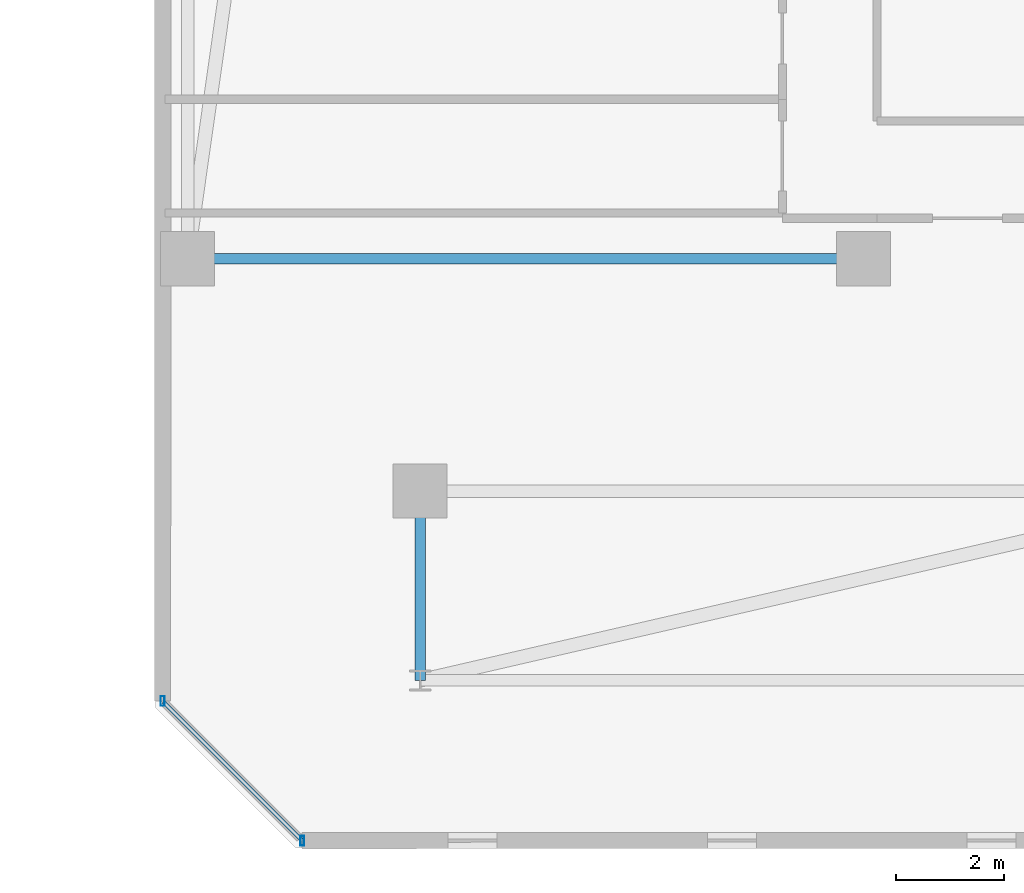
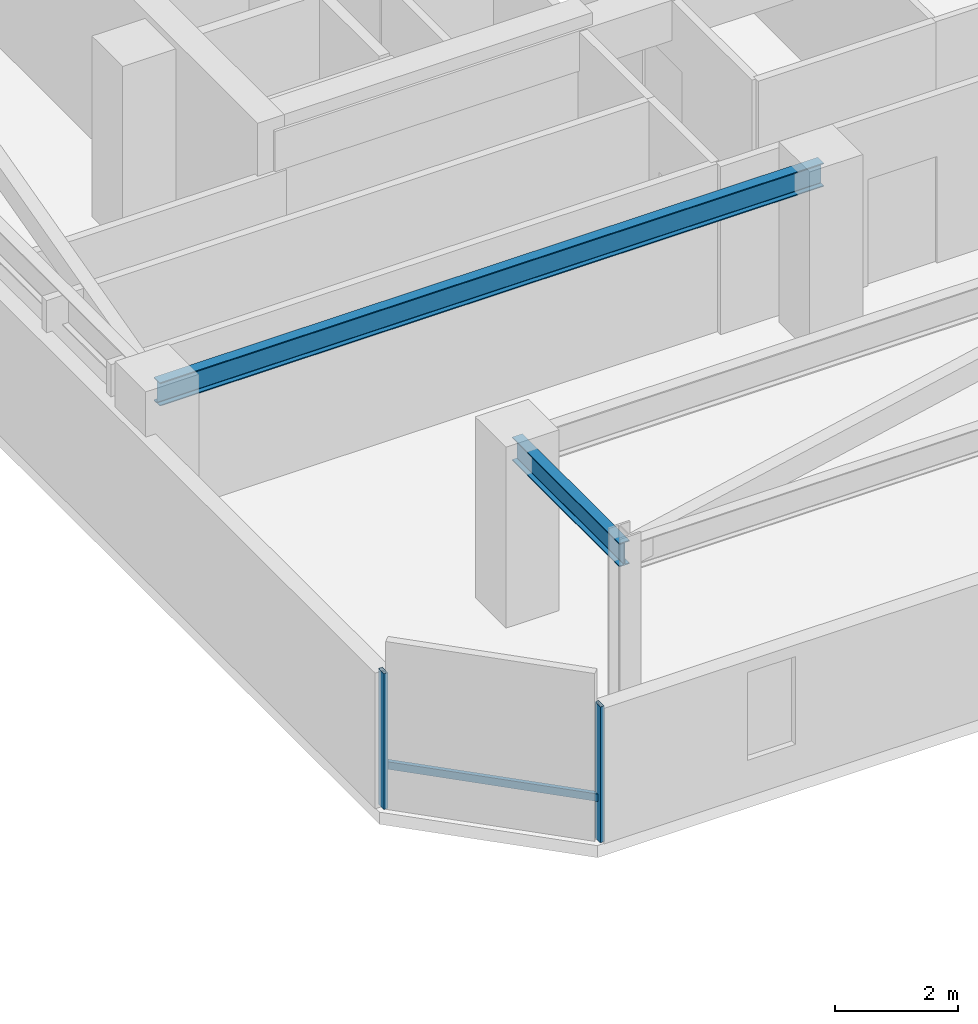
# One storey, part 10 of 32: 3 members, 2 beams, 1 element without a shape of its own.
"""IFC4 building model written with IfcOpenShell, lengths in metres."""

from ifc_helpers import new_model, si_unit, direction, frame, origin, origin_2d, place, context, subcontext, project, spatial, hollow_rectangle, i_section, extrude, material, material_profile, profile_set, type_object, element, aggregate, save


model = new_model("IFC4")

# Units and contexts
model_context = context("Model", 3, precision=1e-05, world=origin(), true_north=direction((0.0, 1.0)))
body_context = subcontext(model_context, "Body", "Model", "MODEL_VIEW")
ifc_project = project(units=[si_unit("LENGTHUNIT", "METRE"), si_unit("AREAUNIT", "SQUARE_METRE"), si_unit("VOLUMEUNIT", "CUBIC_METRE"), si_unit("PLANEANGLEUNIT", "RADIAN"), si_unit("MASSUNIT", "GRAM", prefix="KILO")], contexts=[model_context])

# Site, building, storey
site_placement = place(None, origin())
site = spatial("IfcSite", under=ifc_project, at=site_placement, CompositionType="ELEMENT")
building_placement = place(site_placement, origin())
building = spatial("IfcBuilding", under=site, at=building_placement, Name="Thornwick Lancets Civic Towers", CompositionType="ELEMENT")
storey_placement = place(building_placement, frame((0.0, 0.0, 243.89990234375)))
storey = spatial("IfcBuildingStorey", under=building, at=storey_placement, Name="L65", CompositionType="ELEMENT", Elevation=243.89990234375)

# Beams
ifc_material_1 = material(Name="Steel S355JR", Category="steel")
ifc_material_profile_1 = material_profile(ifc_material_1, i_section(OverallWidth=0.19287109375, OverallDepth=0.46728515625, WebThickness=0.011474609375, FlangeThickness=0.01953125, FilletRadius=0.01025390625, at=origin_2d()), Name="UKB 457x191x98")
ifc_profile_set_1 = profile_set([ifc_material_profile_1], Name="Steel S355JR")
beam_type = type_object("IfcBeamType", Name="BM_JOIST_457_98", PredefinedType="JOIST", material=ifc_profile_set_1)
beam_1_placement = place(storey_placement, frame((83.699951171875, 14.0, 3.12646484375), z_axis=(-1.0, 0.0, 0.0), x_axis=(0.0, -1.0, 0.0)))
element("IfcBeam", 1, at=beam_1_placement, inside=storey, type_object=beam_type, Name="BM-RADIN-L65-B07", PredefinedType="JOIST", context=body_context, shape_type="SweptSolid", body=[
    extrude(i_section(OverallWidth=0.19287109375, OverallDepth=0.46728515625, WebThickness=0.011474609375, FlangeThickness=0.01953125, FilletRadius=0.01025390625, at=origin_2d()), origin(), (0.0, 0.0, 1.0), 12.5),
])
beam_2_placement = place(storey_placement, frame((75.5, 9.699951171875, 3.12646484375), z_axis=(0.0, -1.0, 0.0), x_axis=(1.0, 0.0, 0.0)))
element("IfcBeam", 2, at=beam_2_placement, inside=storey, type_object=beam_type, Name="BM-RAD-L65-B12", PredefinedType="JOIST", context=body_context, shape_type="SweptSolid", body=[
    extrude(i_section(OverallWidth=0.19287109375, OverallDepth=0.46728515625, WebThickness=0.011474609375, FlangeThickness=0.01953125, FilletRadius=0.01025390625, at=origin_2d()), origin(), (0.0, 0.0, 1.0), 3.5),
])

# Curtain wall, members
ifc_material_2 = material(Name="High-zone chamfered-corner unitised glass curtain wall", Category="glass")
curtain_wall_type = type_object("IfcCurtainWallType", Name="CW_SYS_05", PredefinedType="NOTDEFINED", material=ifc_material_2)
curtain_wall_placement = place(storey_placement, origin())
curtain_wall = element("IfcCurtainWall", 3, at=curtain_wall_placement, inside=storey, type_object=curtain_wall_type, Name="L65 Curtain Wall CW-L65-B-E7", PredefinedType="NOTDEFINED")
ifc_material_3 = material(Name="Thermally broken bronze aluminium S355", Category="steel")
ifc_material_profile_2 = material_profile(ifc_material_3, hollow_rectangle(XDim=0.074951171875, YDim=0.179931640625, WallThickness=0.006103515625, at=origin_2d()), Name="RHS 180x75x6")
ifc_profile_set_2 = profile_set([ifc_material_profile_2], Name="Thermally broken bronze aluminium S355")
member_type_1 = type_object("IfcMemberType", Name="CW_MUL_180", PredefinedType="MULLION", material=ifc_profile_set_2)
member_1_placement = place(storey_placement, frame((70.7353515625, 5.818603515625, 0.0), z_axis=(0.0, 0.0, 1.0), x_axis=(1.0, 0.0, 0.0)))
member_1 = element("IfcMember", 4, at=member_1_placement, type_object=member_type_1, Name="CW-L65-B-E7 Mullion 0", PredefinedType="MULLION", context=body_context, shape_type="SweptSolid", body=[
    extrude(hollow_rectangle(XDim=0.074951171875, YDim=0.179931640625, WallThickness=0.006103515625, at=origin_2d()), origin(), (0.0, 0.0, 1.0), 2.7001953125),
])
member_2_placement = place(storey_placement, frame((73.318603515625, 3.2353515625, 0.0), z_axis=(0.0, 0.0, 1.0), x_axis=(1.0, 0.0, 0.0)))
member_2 = element("IfcMember", 5, at=member_2_placement, type_object=member_type_1, Name="CW-L65-B-E7 Mullion 1", PredefinedType="MULLION", context=body_context, shape_type="SweptSolid", body=[
    extrude(hollow_rectangle(XDim=0.074951171875, YDim=0.179931640625, WallThickness=0.006103515625, at=origin_2d()), origin(), (0.0, 0.0, 1.0), 2.7001953125),
])
ifc_material_profile_3 = material_profile(ifc_material_3, hollow_rectangle(XDim=0.074951171875, YDim=0.14990234375, WallThickness=0.0048828125, at=origin_2d()), Name="RHS 150x75x5")
ifc_profile_set_3 = profile_set([ifc_material_profile_3], Name="Thermally broken bronze aluminium S355")
member_type_2 = type_object("IfcMemberType", Name="CW_TRN_150", PredefinedType="USERDEFINED", material=ifc_profile_set_3)
member_3_placement = place(storey_placement, frame((70.74951171875, 5.804443359375, 0.85009765625), z_axis=(0.707106781187, -0.707106781187, 0.0), x_axis=(0.707106781187, 0.707106781187, 0.0)))
member_3 = element("IfcMember", 6, at=member_3_placement, type_object=member_type_2, Name="CW-L65-B-E7 Transom 0", ObjectType="TRANSOM", PredefinedType="USERDEFINED", context=body_context, shape_type="SweptSolid", body=[
    extrude(hollow_rectangle(XDim=0.074951171875, YDim=0.14990234375, WallThickness=0.0048828125, at=origin_2d()), origin(), (0.0, 0.0, 1.0), 3.61328125),
])
aggregate(curtain_wall, [member_1, member_2, member_3])

save(model, "model.ifc")
